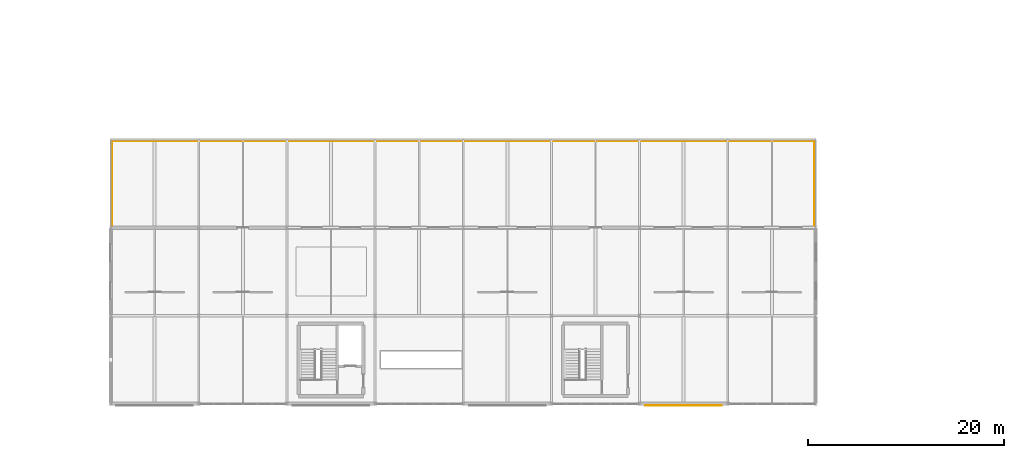
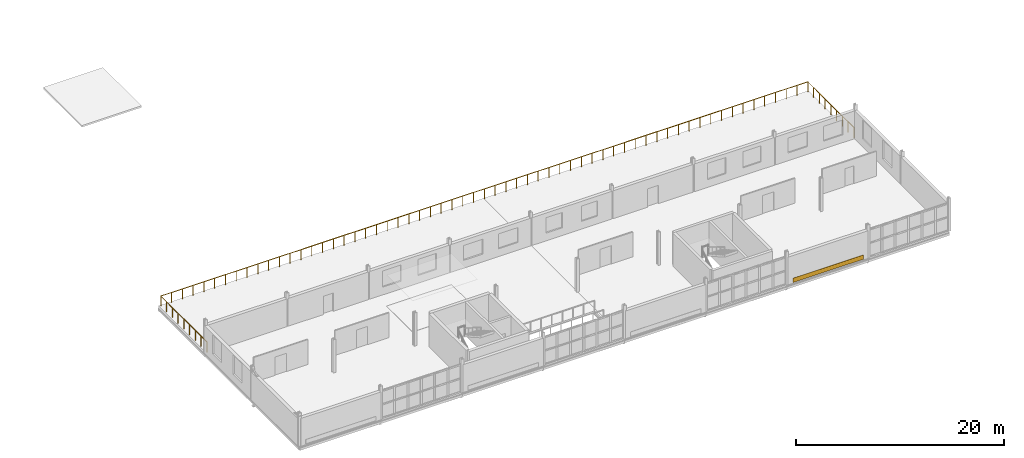
# One storey, part 115 of 123: 1 covering, 1 railing.
"""IFC4 building model written with IfcOpenShell, lengths in metres."""

import ifcopenshell
import ifcopenshell.guid

model = None  # the IFC model being written
_history = None  # IfcOwnerHistory: only IFC2X3 demands one
_inside = {}  # id of a spatial element -> (the spatial element, [elements in it])
_under = {}  # id of a project, library or spatial element -> (it, [spatial elements below it])
_declared = {}  # id of a project -> (the project, [libraries it declares])
_typed = {}  # id of a type object -> (the type object, [elements of that type])
_made_of = {}  # id of a material, layer set ... -> (it, [elements and type objects made of it])


def new_model(schema):
    """Start an empty IFC model of exactly this schema.

    Asked for "IFC4X3", IfcOpenShell would pick the latest addendum, in which some entities
    have other attributes; the version numbers below select the first issue.
    IFC2X3 requires an IfcOwnerHistory on every rooted entity: one is made here for all.
    """
    global model, _history
    if schema == "IFC4X3":
        model = ifcopenshell.file(schema_version=(4, 3, 0, 0))
    else:
        model = ifcopenshell.file(schema=schema)
    _inside.clear()
    _under.clear()
    _declared.clear()
    _typed.clear()
    _made_of.clear()
    _history = None
    if model.schema == "IFC2X3":
        org = make("IfcOrganization", Name="unknown")
        user = make(
            "IfcPersonAndOrganization",
            ThePerson=make("IfcPerson", FamilyName="unknown"),
            TheOrganization=org,
        )
        app = make(
            "IfcApplication",
            ApplicationDeveloper=org,
            Version="unknown",
            ApplicationFullName="unknown",
            ApplicationIdentifier="unknown",
        )
        _history = make(
            "IfcOwnerHistory",
            OwningUser=user,
            OwningApplication=app,
            ChangeAction="ADDED",
            CreationDate=0,
        )
    return model


def make(cls, **values):
    """One entity of the class cls with the attributes given. An attribute that is None is left unset."""
    return model.create_entity(
        cls, **{name: value for name, value in values.items() if value is not None}
    )


def rooted(cls, **values):
    """An entity with a GlobalId (a new one), such as an element, a storey or a relation."""
    return make(cls, GlobalId=ifcopenshell.guid.new(), OwnerHistory=_history, **values)


def si_unit(unit_type, name, prefix=None):
    """IfcSIUnit, for example si_unit("LENGTHUNIT", "METRE", prefix="MILLI")."""
    return make("IfcSIUnit", UnitType=unit_type, Prefix=prefix, Name=name)


def assignment(units):
    """IfcUnitAssignment: the units of a project."""
    return None if units is None else make("IfcUnitAssignment", Units=units)


def point(xyz):
    """IfcCartesianPoint."""
    return None if xyz is None else make("IfcCartesianPoint", Coordinates=xyz)


def direction(xyz):
    """IfcDirection."""
    return None if xyz is None else make("IfcDirection", DirectionRatios=xyz)


def frame(location, z_axis=None, x_axis=None):
    """IfcAxis2Placement3D, a coordinate frame: its origin and axes. An axis left out is left unset."""
    return make(
        "IfcAxis2Placement3D",
        Location=point(location),
        Axis=direction(z_axis),
        RefDirection=direction(x_axis),
    )


def frame_2d(location, x_axis=None):
    """IfcAxis2Placement2D, a coordinate frame in the plane: its origin and x axis."""
    return make(
        "IfcAxis2Placement2D", Location=point(location), RefDirection=direction(x_axis)
    )


def origin():
    """The frame at (0, 0, 0) with its axes left unset."""
    return frame((0.0, 0.0, 0.0))


def origin_2d():
    """The frame at (0, 0) in the plane with its x axis left unset."""
    return frame_2d((0.0, 0.0))


def place(relative_to, where):
    """IfcLocalPlacement: puts the frame where relative to a parent placement (None: the world)."""
    return make(
        "IfcLocalPlacement", PlacementRelTo=relative_to, RelativePlacement=where
    )


def context(
    kind, dimensions, precision=None, world=None, true_north=None, identifier=None
):
    """IfcGeometricRepresentationContext, for example the 3D "Model" context."""
    return make(
        "IfcGeometricRepresentationContext",
        ContextIdentifier=identifier,
        ContextType=kind,
        CoordinateSpaceDimension=dimensions,
        Precision=precision,
        WorldCoordinateSystem=world,
        TrueNorth=true_north,
    )


def subcontext(parent, identifier, kind, view, scale=None):
    """IfcGeometricRepresentationSubContext, for example "Body" below "Model"."""
    return make(
        "IfcGeometricRepresentationSubContext",
        ContextIdentifier=identifier,
        ContextType=kind,
        ParentContext=parent,
        TargetScale=scale,
        TargetView=view,
    )


def project(units=None, contexts=None):
    """IfcProject with its units and contexts."""
    return rooted(
        "IfcProject",
        Name="project",
        RepresentationContexts=contexts,
        UnitsInContext=assignment(units),
    )


def spatial(cls, under=None, at=None, **own):
    """A site, building, storey or space (cls), placed at a placement, below another one or the project."""
    s = rooted(cls, ObjectPlacement=at, **own)
    if under is not None:
        _under.setdefault(under.id(), (under, []))[1].append(s)
    return s


def profile(cls, at=None, kind="AREA", **sizes):
    """A parametric profile (cls). Its sizes go by their IFC names, for example OverallWidth=200.0."""
    return make(cls, ProfileType=kind, Position=at, **sizes)


def rectangle(**sizes):
    """IfcRectangleProfileDef."""
    return profile("IfcRectangleProfileDef", **sizes)


def circle(**sizes):
    """IfcCircleProfileDef."""
    return profile("IfcCircleProfileDef", **sizes)


def extrude(swept, where, along, depth):
    """IfcExtrudedAreaSolid: the profile swept, set in the frame where, extruded along a direction by depth."""
    return make(
        "IfcExtrudedAreaSolid",
        SweptArea=swept,
        Position=where,
        ExtrudedDirection=direction(along),
        Depth=depth,
    )


def shape(context_of_items, identifier, shape_type, items):
    """IfcShapeRepresentation: the items that make up one representation, for example the "Body"."""
    return make(
        "IfcShapeRepresentation",
        ContextOfItems=context_of_items,
        RepresentationIdentifier=identifier,
        RepresentationType=shape_type,
        Items=items,
    )


def material(Name=None, Category=None):
    """IfcMaterial."""
    return make("IfcMaterial", Name=Name, Category=Category)


def layer(
    of_material, thickness, ventilated=None, Name=None, Category=None, Priority=None
):
    """IfcMaterialLayer: one layer of a wall or slab, of a material (None: an air gap)."""
    return make(
        "IfcMaterialLayer",
        Material=of_material,
        LayerThickness=thickness,
        IsVentilated=ventilated,
        Name=Name,
        Category=Category,
        Priority=Priority,
    )


def layer_set(layers, Name=None):
    """IfcMaterialLayerSet."""
    return make("IfcMaterialLayerSet", MaterialLayers=layers, LayerSetName=Name)


def made_of(thing, what):
    """Note that an element or type object is made of a material, layer set ...; save() writes the relation."""
    if what is not None:
        _made_of.setdefault(what.id(), (what, []))[1].append(thing)
    return thing


def type_object(cls, material=None, **own):
    """A type object (cls), such as IfcWallType, which elements share."""
    return made_of(rooted(cls, **own), material)


def element(
    cls,
    number,
    at=None,
    inside=None,
    cuts=None,
    type_object=None,
    material=None,
    context=None,
    identifier="Body",
    shape_type=None,
    held_by="IfcProductDefinitionShape",
    body=None,
    shapes=None,
    **own,
):
    """One element of the class cls, such as IfcWall. Its Tag is "e" and its number.

    at: its placement. inside: the storey or other place that contains it. cuts: it is an
    opening in that element (IfcRelVoidsElement). A single representation is given by context,
    identifier, shape_type and body (its items); several are given by shapes. held_by: the class
    of the entity that holds the representations. save() writes the other relations.
    """
    e = rooted(cls, Tag="e%d" % number, ObjectPlacement=at, **own)
    if body is not None:
        shapes = [shape(context, identifier, shape_type, body)]
    if shapes is not None:
        e.Representation = make(held_by, Representations=shapes)
    if inside is not None:
        _inside.setdefault(inside.id(), (inside, []))[1].append(e)
    if cuts is not None:
        rooted(
            "IfcRelVoidsElement", RelatingBuildingElement=cuts, RelatedOpeningElement=e
        )
    if type_object is not None:
        _typed.setdefault(type_object.id(), (type_object, []))[1].append(e)
    return made_of(e, material)


def aggregate(whole, parts):
    """IfcRelAggregates: a whole, such as a stair, and the parts it consists of."""
    return rooted("IfcRelAggregates", RelatingObject=whole, RelatedObjects=parts)


def save(model, path):
    """Write the relations noted so far, then the file.

    IfcRelAggregates (storeys below a building ...), IfcRelContainedInSpatialStructure (elements
    in a storey), IfcRelDefinesByType, IfcRelAssociatesMaterial and IfcRelDeclares: one each for
    every whole, place, type object, material and project.
    """
    for whole, parts in _under.values():
        aggregate(whole, parts)
    for where, things in _inside.values():
        rooted(
            "IfcRelContainedInSpatialStructure",
            RelatedElements=things,
            RelatingStructure=where,
        )
    for kind, things in _typed.values():
        rooted("IfcRelDefinesByType", RelatedObjects=things, RelatingType=kind)
    for what, things in _made_of.values():
        rooted("IfcRelAssociatesMaterial", RelatedObjects=things, RelatingMaterial=what)
    for by, libraries in _declared.values():
        rooted("IfcRelDeclares", RelatingContext=by, RelatedDefinitions=libraries)
    model.write(path)


model = new_model("IFC4")

# Units and contexts
model_context = context("Model", 3, precision=1e-05, world=origin(), true_north=direction((0.0, 1.0)))
body_context = subcontext(model_context, "Body", "Model", "MODEL_VIEW")
ifc_project = project(units=[si_unit("LENGTHUNIT", "METRE"), si_unit("AREAUNIT", "SQUARE_METRE"), si_unit("VOLUMEUNIT", "CUBIC_METRE"), si_unit("PLANEANGLEUNIT", "RADIAN"), si_unit("MASSUNIT", "GRAM", prefix="KILO")], contexts=[model_context])

# Site, building, storey
site_placement = place(None, origin())
site = spatial("IfcSite", under=ifc_project, at=site_placement, CompositionType="ELEMENT")
building_placement = place(site_placement, origin())
building = spatial("IfcBuilding", under=site, at=building_placement, Name="Kildeholm Park Wholesale Market", CompositionType="ELEMENT")
storey_placement = place(building_placement, frame((0.0, 0.0, 9.60009765625)))
storey = spatial("IfcBuildingStorey", under=building, at=storey_placement, Name="L02", CompositionType="ELEMENT", Elevation=9.60009765625)

# Covering
ifc_material_1 = material(Name="Polychrome broken-tile glazed ceramic mosaic")
ifc_layer = layer(ifc_material_1, 0.034912109375)
ifc_layer_set = layer_set([ifc_layer], Name="Polychrome broken-tile glazed ceramic mosaic")
covering_type = type_object("IfcCoveringType", Name="Polychrome ceramic mosaic spandrel cladding CV-CL1", PredefinedType="CLADDING", material=ifc_layer_set)
covering_placement = place(storey_placement, frame((67.5, -0.179931640625, 0.099853515625), z_axis=(0.0, 0.0, 1.0), x_axis=(1.0, 0.0, 0.0)))
element("IfcCovering", 1, at=covering_placement, inside=storey, type_object=covering_type, Name="Polychrome ceramic mosaic spandrel V5W-L02-7 COV-0032", PredefinedType="CLADDING", context=body_context, shape_type="SweptSolid", body=[
    extrude(rectangle(XDim=7.800048828125, YDim=0.034912109375, at=origin_2d()), origin(), (0.0, 0.0, 1.0), 0.5),
])

# Railing
ifc_material_2 = material(Name="Painted galvanized steel and stainless-steel balustrade", Category="steel")
railing_type = type_object("IfcRailingType", Name="Terrace and roof-garden balustrade GR-EX1 1200 mm", PredefinedType="GUARDRAIL", material=ifc_material_2)
railing_placement = place(storey_placement, frame((9.14990234375, 18.0, 0.0)))
element("IfcRailing", 2, at=railing_placement, inside=storey, type_object=railing_type, Name="V5W L02 terrace balustrade RLG-0004", PredefinedType="GUARDRAIL", context=body_context, shape_type="SweptSolid", body=[
    extrude(circle(Radius=0.02392578125, at=origin_2d()), frame((0.0, 0.0, 1.17578125), z_axis=(0.0, 1.0, 0.0), x_axis=(-1.0, 0.0, 0.0)), (0.0, 0.0, 1.0), 8.85009765625),
    extrude(circle(Radius=0.02392578125, at=origin_2d()), frame((0.0, 8.85009765625, 1.17578125), z_axis=(1.0, 0.0, 0.0), x_axis=(0.0, 1.0, 0.0)), (0.0, 0.0, 1.0), 71.7001953125),
    extrude(circle(Radius=0.02392578125, at=origin_2d()), frame((71.7001953125, 8.85009765625, 1.17578125), z_axis=(0.0, -1.0, 0.0), x_axis=(1.0, 0.0, 0.0)), (0.0, 0.0, 1.0), 8.85009765625),
    extrude(circle(Radius=0.02099609375, at=origin_2d()), origin(), (0.0, 0.0, 1.0), 1.15185546875),
    extrude(circle(Radius=0.02099609375, at=origin_2d()), frame((0.0, 1.106201171875, 0.0)), (0.0, 0.0, 1.0), 1.15185546875),
    extrude(circle(Radius=0.02099609375, at=origin_2d()), frame((0.0, 2.21240234375, 0.0)), (0.0, 0.0, 1.0), 1.15185546875),
    extrude(circle(Radius=0.02099609375, at=origin_2d()), frame((0.0, 3.31884765625, 0.0)), (0.0, 0.0, 1.0), 1.15185546875),
    extrude(circle(Radius=0.02099609375, at=origin_2d()), frame((0.0, 4.425048828125, 0.0)), (0.0, 0.0, 1.0), 1.15185546875),
    extrude(circle(Radius=0.02099609375, at=origin_2d()), frame((0.0, 5.53125, 0.0)), (0.0, 0.0, 1.0), 1.15185546875),
    extrude(circle(Radius=0.02099609375, at=origin_2d()), frame((0.0, 6.6376953125, 0.0)), (0.0, 0.0, 1.0), 1.15185546875),
    extrude(circle(Radius=0.02099609375, at=origin_2d()), frame((0.0, 7.743896484375, 0.0)), (0.0, 0.0, 1.0), 1.15185546875),
    extrude(circle(Radius=0.02099609375, at=origin_2d()), frame((0.0, 8.85009765625, 0.0)), (0.0, 0.0, 1.0), 1.15185546875),
    extrude(circle(Radius=0.02099609375, at=origin_2d()), frame((1.195068359375, 8.85009765625, 0.0)), (0.0, 0.0, 1.0), 1.15185546875),
    extrude(circle(Radius=0.02099609375, at=origin_2d()), frame((2.389892578125, 8.85009765625, 0.0)), (0.0, 0.0, 1.0), 1.15185546875),
    extrude(circle(Radius=0.02099609375, at=origin_2d()), frame((3.5849609375, 8.85009765625, 0.0)), (0.0, 0.0, 1.0), 1.15185546875),
    extrude(circle(Radius=0.02099609375, at=origin_2d()), frame((4.780029296875, 8.85009765625, 0.0)), (0.0, 0.0, 1.0), 1.15185546875),
    extrude(circle(Radius=0.02099609375, at=origin_2d()), frame((5.97509765625, 8.85009765625, 0.0)), (0.0, 0.0, 1.0), 1.15185546875),
    extrude(circle(Radius=0.02099609375, at=origin_2d()), frame((7.169921875, 8.85009765625, 0.0)), (0.0, 0.0, 1.0), 1.15185546875),
    extrude(circle(Radius=0.02099609375, at=origin_2d()), frame((8.364990234375, 8.85009765625, 0.0)), (0.0, 0.0, 1.0), 1.15185546875),
    extrude(circle(Radius=0.02099609375, at=origin_2d()), frame((9.56005859375, 8.85009765625, 0.0)), (0.0, 0.0, 1.0), 1.15185546875),
    extrude(circle(Radius=0.02099609375, at=origin_2d()), frame((10.755126953125, 8.85009765625, 0.0)), (0.0, 0.0, 1.0), 1.15185546875),
    extrude(circle(Radius=0.02099609375, at=origin_2d()), frame((11.949951171875, 8.85009765625, 0.0)), (0.0, 0.0, 1.0), 1.15185546875),
    extrude(circle(Radius=0.02099609375, at=origin_2d()), frame((13.14501953125, 8.85009765625, 0.0)), (0.0, 0.0, 1.0), 1.15185546875),
    extrude(circle(Radius=0.02099609375, at=origin_2d()), frame((14.340087890625, 8.85009765625, 0.0)), (0.0, 0.0, 1.0), 1.15185546875),
    extrude(circle(Radius=0.02099609375, at=origin_2d()), frame((15.53515625, 8.85009765625, 0.0)), (0.0, 0.0, 1.0), 1.15185546875),
    extrude(circle(Radius=0.02099609375, at=origin_2d()), frame((16.72998046875, 8.85009765625, 0.0)), (0.0, 0.0, 1.0), 1.15185546875),
    extrude(circle(Radius=0.02099609375, at=origin_2d()), frame((17.925048828125, 8.85009765625, 0.0)), (0.0, 0.0, 1.0), 1.15185546875),
    extrude(circle(Radius=0.02099609375, at=origin_2d()), frame((19.1201171875, 8.85009765625, 0.0)), (0.0, 0.0, 1.0), 1.15185546875),
    extrude(circle(Radius=0.02099609375, at=origin_2d()), frame((20.31494140625, 8.85009765625, 0.0)), (0.0, 0.0, 1.0), 1.15185546875),
    extrude(circle(Radius=0.02099609375, at=origin_2d()), frame((21.510009765625, 8.85009765625, 0.0)), (0.0, 0.0, 1.0), 1.15185546875),
    extrude(circle(Radius=0.02099609375, at=origin_2d()), frame((22.705078125, 8.85009765625, 0.0)), (0.0, 0.0, 1.0), 1.15185546875),
    extrude(circle(Radius=0.02099609375, at=origin_2d()), frame((23.900146484375, 8.85009765625, 0.0)), (0.0, 0.0, 1.0), 1.15185546875),
    extrude(circle(Radius=0.02099609375, at=origin_2d()), frame((25.094970703125, 8.85009765625, 0.0)), (0.0, 0.0, 1.0), 1.15185546875),
    extrude(circle(Radius=0.02099609375, at=origin_2d()), frame((26.2900390625, 8.85009765625, 0.0)), (0.0, 0.0, 1.0), 1.15185546875),
    extrude(circle(Radius=0.02099609375, at=origin_2d()), frame((27.485107421875, 8.85009765625, 0.0)), (0.0, 0.0, 1.0), 1.15185546875),
    extrude(circle(Radius=0.02099609375, at=origin_2d()), frame((28.68017578125, 8.85009765625, 0.0)), (0.0, 0.0, 1.0), 1.15185546875),
    extrude(circle(Radius=0.02099609375, at=origin_2d()), frame((29.875, 8.85009765625, 0.0)), (0.0, 0.0, 1.0), 1.15185546875),
    extrude(circle(Radius=0.02099609375, at=origin_2d()), frame((31.070068359375, 8.85009765625, 0.0)), (0.0, 0.0, 1.0), 1.15185546875),
    extrude(circle(Radius=0.02099609375, at=origin_2d()), frame((32.26513671875, 8.85009765625, 0.0)), (0.0, 0.0, 1.0), 1.15185546875),
    extrude(circle(Radius=0.02099609375, at=origin_2d()), frame((33.460205078125, 8.85009765625, 0.0)), (0.0, 0.0, 1.0), 1.15185546875),
    extrude(circle(Radius=0.02099609375, at=origin_2d()), frame((34.655029296875, 8.85009765625, 0.0)), (0.0, 0.0, 1.0), 1.15185546875),
    extrude(circle(Radius=0.02099609375, at=origin_2d()), frame((35.85009765625, 8.85009765625, 0.0)), (0.0, 0.0, 1.0), 1.15185546875),
    extrude(circle(Radius=0.02099609375, at=origin_2d()), frame((37.045166015625, 8.85009765625, 0.0)), (0.0, 0.0, 1.0), 1.15185546875),
    extrude(circle(Radius=0.02099609375, at=origin_2d()), frame((38.239990234375, 8.85009765625, 0.0)), (0.0, 0.0, 1.0), 1.15185546875),
    extrude(circle(Radius=0.02099609375, at=origin_2d()), frame((39.43505859375, 8.85009765625, 0.0)), (0.0, 0.0, 1.0), 1.15185546875),
    extrude(circle(Radius=0.02099609375, at=origin_2d()), frame((40.630126953125, 8.85009765625, 0.0)), (0.0, 0.0, 1.0), 1.15185546875),
    extrude(circle(Radius=0.02099609375, at=origin_2d()), frame((41.8251953125, 8.85009765625, 0.0)), (0.0, 0.0, 1.0), 1.15185546875),
    extrude(circle(Radius=0.02099609375, at=origin_2d()), frame((43.02001953125, 8.85009765625, 0.0)), (0.0, 0.0, 1.0), 1.15185546875),
    extrude(circle(Radius=0.02099609375, at=origin_2d()), frame((44.215087890625, 8.85009765625, 0.0)), (0.0, 0.0, 1.0), 1.15185546875),
    extrude(circle(Radius=0.02099609375, at=origin_2d()), frame((45.41015625, 8.85009765625, 0.0)), (0.0, 0.0, 1.0), 1.15185546875),
    extrude(circle(Radius=0.02099609375, at=origin_2d()), frame((46.605224609375, 8.85009765625, 0.0)), (0.0, 0.0, 1.0), 1.15185546875),
    extrude(circle(Radius=0.02099609375, at=origin_2d()), frame((47.800048828125, 8.85009765625, 0.0)), (0.0, 0.0, 1.0), 1.15185546875),
    extrude(circle(Radius=0.02099609375, at=origin_2d()), frame((48.9951171875, 8.85009765625, 0.0)), (0.0, 0.0, 1.0), 1.15185546875),
    extrude(circle(Radius=0.02099609375, at=origin_2d()), frame((50.190185546875, 8.85009765625, 0.0)), (0.0, 0.0, 1.0), 1.15185546875),
    extrude(circle(Radius=0.02099609375, at=origin_2d()), frame((51.38525390625, 8.85009765625, 0.0)), (0.0, 0.0, 1.0), 1.15185546875),
    extrude(circle(Radius=0.02099609375, at=origin_2d()), frame((52.580078125, 8.85009765625, 0.0)), (0.0, 0.0, 1.0), 1.15185546875),
    extrude(circle(Radius=0.02099609375, at=origin_2d()), frame((53.775146484375, 8.85009765625, 0.0)), (0.0, 0.0, 1.0), 1.15185546875),
    extrude(circle(Radius=0.02099609375, at=origin_2d()), frame((54.97021484375, 8.85009765625, 0.0)), (0.0, 0.0, 1.0), 1.15185546875),
    extrude(circle(Radius=0.02099609375, at=origin_2d()), frame((56.1650390625, 8.85009765625, 0.0)), (0.0, 0.0, 1.0), 1.15185546875),
    extrude(circle(Radius=0.02099609375, at=origin_2d()), frame((57.360107421875, 8.85009765625, 0.0)), (0.0, 0.0, 1.0), 1.15185546875),
    extrude(circle(Radius=0.02099609375, at=origin_2d()), frame((58.55517578125, 8.85009765625, 0.0)), (0.0, 0.0, 1.0), 1.15185546875),
    extrude(circle(Radius=0.02099609375, at=origin_2d()), frame((59.750244140625, 8.85009765625, 0.0)), (0.0, 0.0, 1.0), 1.15185546875),
    extrude(circle(Radius=0.02099609375, at=origin_2d()), frame((60.945068359375, 8.85009765625, 0.0)), (0.0, 0.0, 1.0), 1.15185546875),
    extrude(circle(Radius=0.02099609375, at=origin_2d()), frame((62.14013671875, 8.85009765625, 0.0)), (0.0, 0.0, 1.0), 1.15185546875),
    extrude(circle(Radius=0.02099609375, at=origin_2d()), frame((63.335205078125, 8.85009765625, 0.0)), (0.0, 0.0, 1.0), 1.15185546875),
    extrude(circle(Radius=0.02099609375, at=origin_2d()), frame((64.5302734375, 8.85009765625, 0.0)), (0.0, 0.0, 1.0), 1.15185546875),
    extrude(circle(Radius=0.02099609375, at=origin_2d()), frame((65.72509765625, 8.85009765625, 0.0)), (0.0, 0.0, 1.0), 1.15185546875),
    extrude(circle(Radius=0.02099609375, at=origin_2d()), frame((66.920166015625, 8.85009765625, 0.0)), (0.0, 0.0, 1.0), 1.15185546875),
    extrude(circle(Radius=0.02099609375, at=origin_2d()), frame((68.115234375, 8.85009765625, 0.0)), (0.0, 0.0, 1.0), 1.15185546875),
    extrude(circle(Radius=0.02099609375, at=origin_2d()), frame((69.310302734375, 8.85009765625, 0.0)), (0.0, 0.0, 1.0), 1.15185546875),
    extrude(circle(Radius=0.02099609375, at=origin_2d()), frame((70.505126953125, 8.85009765625, 0.0)), (0.0, 0.0, 1.0), 1.15185546875),
    extrude(circle(Radius=0.02099609375, at=origin_2d()), frame((71.7001953125, 8.85009765625, 0.0)), (0.0, 0.0, 1.0), 1.15185546875),
    extrude(circle(Radius=0.02099609375, at=origin_2d()), frame((71.7001953125, 7.743896484375, 0.0)), (0.0, 0.0, 1.0), 1.15185546875),
    extrude(circle(Radius=0.02099609375, at=origin_2d()), frame((71.7001953125, 6.6376953125, 0.0)), (0.0, 0.0, 1.0), 1.15185546875),
    extrude(circle(Radius=0.02099609375, at=origin_2d()), frame((71.7001953125, 5.53125, 0.0)), (0.0, 0.0, 1.0), 1.15185546875),
    extrude(circle(Radius=0.02099609375, at=origin_2d()), frame((71.7001953125, 4.425048828125, 0.0)), (0.0, 0.0, 1.0), 1.15185546875),
    extrude(circle(Radius=0.02099609375, at=origin_2d()), frame((71.7001953125, 3.31884765625, 0.0)), (0.0, 0.0, 1.0), 1.15185546875),
    extrude(circle(Radius=0.02099609375, at=origin_2d()), frame((71.7001953125, 2.21240234375, 0.0)), (0.0, 0.0, 1.0), 1.15185546875),
    extrude(circle(Radius=0.02099609375, at=origin_2d()), frame((71.7001953125, 1.106201171875, 0.0)), (0.0, 0.0, 1.0), 1.15185546875),
    extrude(circle(Radius=0.02099609375, at=origin_2d()), frame((71.7001953125, 0.0, 0.0)), (0.0, 0.0, 1.0), 1.15185546875),
])

save(model, "model.ifc")
